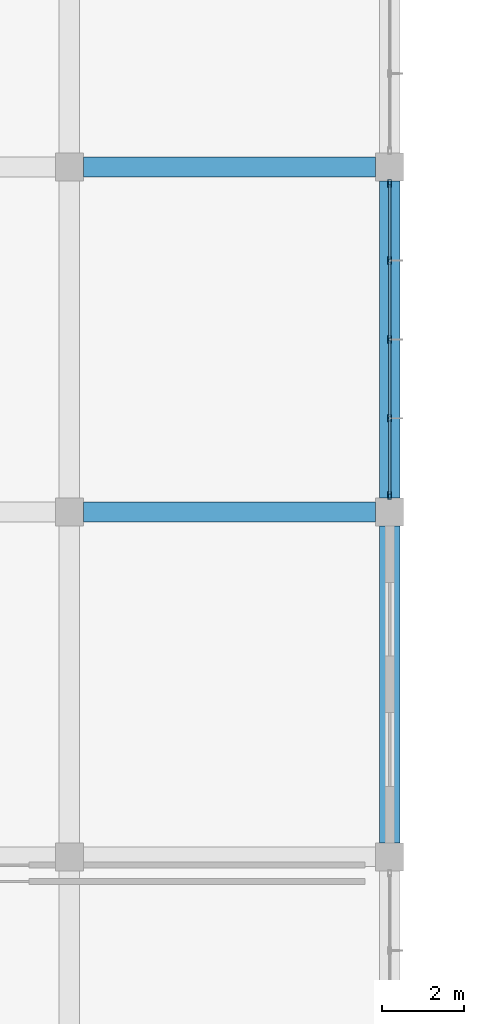
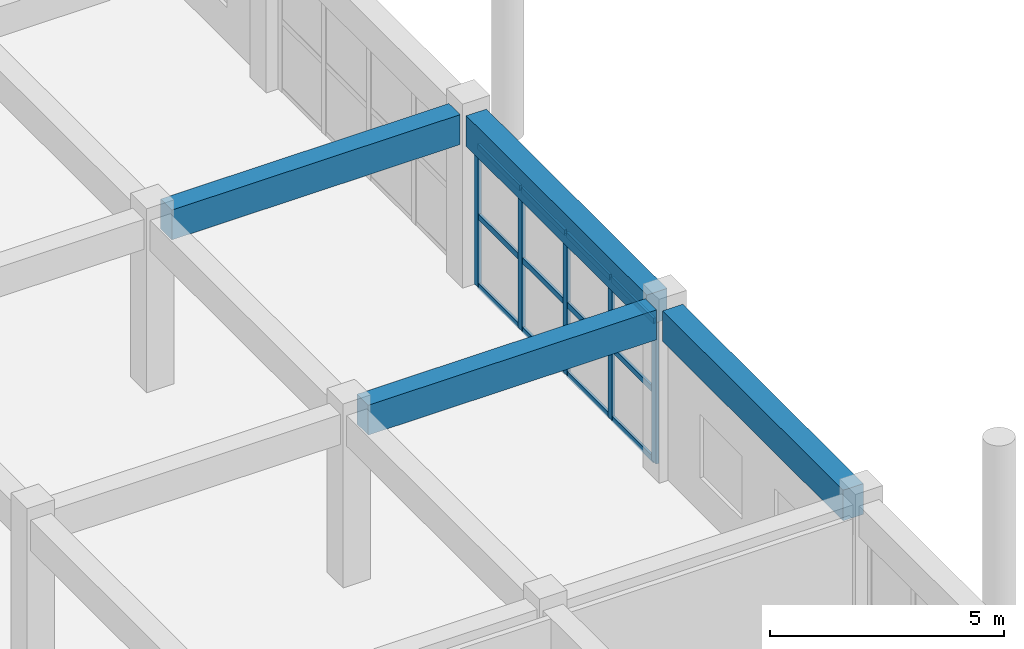
# One storey, part 120 of 175: 17 members, 4 beams, 1 element without a shape of its own.
"""IFC4 building model written with IfcOpenShell, lengths in metres."""

from ifc_helpers import new_model, si_unit, direction, frame, origin, origin_2d, place, context, subcontext, project, spatial, rectangle, hollow_rectangle, extrude, material, layer, layer_set, material_profile, profile_set, type_object, element, aggregate, save


model = new_model("IFC4")

# Units and contexts
model_context = context("Model", 3, precision=1e-05, world=origin(), true_north=direction((0.0, 1.0)))
body_context = subcontext(model_context, "Body", "Model", "MODEL_VIEW")
ifc_project = project(units=[si_unit("LENGTHUNIT", "METRE"), si_unit("AREAUNIT", "SQUARE_METRE"), si_unit("VOLUMEUNIT", "CUBIC_METRE"), si_unit("PLANEANGLEUNIT", "RADIAN"), si_unit("MASSUNIT", "GRAM", prefix="KILO")], contexts=[model_context])

# Site, building, storey
site_placement = place(None, origin())
site = spatial("IfcSite", under=ifc_project, at=site_placement, CompositionType="ELEMENT")
building_placement = place(site_placement, origin())
building = spatial("IfcBuilding", under=site, at=building_placement, Name="Zizhar Promenade General Hospital", CompositionType="ELEMENT")
storey_placement = place(building_placement, frame((0.0, 0.0, 4.800048828125)))
storey = spatial("IfcBuildingStorey", under=building, at=storey_placement, Name="L01", CompositionType="ELEMENT", Elevation=4.800048828125)

# Beams
ifc_material_1 = material(Name="Concrete C35/45", Category="concrete")
ifc_material_profile_1 = material_profile(ifc_material_1, rectangle(XDim=0.47998046875, YDim=0.780029296875, at=origin_2d()))
ifc_profile_set_1 = profile_set([ifc_material_profile_1], Name="Concrete C35/45")
beam_type_1 = type_object("IfcBeamType", Name="BM-RC-480x780", PredefinedType="BEAM", material=ifc_profile_set_1)
for number, where, z_axis, x_axis, name in (
    (1, (187.5400390625, 84.0, 4.079833984375), (1.0, 0.0, 0.0), (0.0, 1.0, 0.0), "Grid Beam X L01 (24-10)"),
    (2, (187.5400390625, 92.39990234375, 4.079833984375), (1.0, 0.0, 0.0), (0.0, 1.0, 0.0), "Grid Beam X L01 (24-11)"),
):
    element("IfcBeam", number, at=place(storey_placement, frame(where, z_axis=z_axis, x_axis=x_axis)), inside=storey, type_object=beam_type_1, Name=name, PredefinedType="BEAM", context=body_context, shape_type="SweptSolid", body=[
        extrude(rectangle(XDim=0.47998046875, YDim=0.780029296875, at=origin_2d()), origin(), (0.0, 0.0, 1.0), 7.119873046875),
    ])
ifc_material_2 = material(Name="Concrete C35/45", Category="concrete")
ifc_material_profile_2 = material_profile(ifc_material_2, rectangle(XDim=0.5, YDim=0.800048828125, at=origin_2d()))
ifc_profile_set_2 = profile_set([ifc_material_profile_2], Name="Concrete C35/45")
beam_type_2 = type_object("IfcBeamType", Name="BM-RC-500x800", PredefinedType="BEAM", material=ifc_profile_set_2)
for number, where, z_axis, x_axis, name in (
    (3, (195.0, 75.93994140625, 4.070068359375), (0.0, 1.0, 0.0), (-1.0, 0.0, 0.0), "Grid Beam Y L01 (25-9)"),
    (4, (195.0, 84.340087890625, 4.070068359375), (0.0, 1.0, 0.0), (-1.0, 0.0, 0.0), "Grid Beam Y L01 (25-10)"),
):
    element("IfcBeam", number, at=place(storey_placement, frame(where, z_axis=z_axis, x_axis=x_axis)), inside=storey, type_object=beam_type_2, Name=name, PredefinedType="BEAM", context=body_context, shape_type="SweptSolid", body=[
        extrude(rectangle(XDim=0.5, YDim=0.800048828125, at=origin_2d()), origin(), (0.0, 0.0, 1.0), 7.719970703125),
    ])

# Curtain wall, members
ifc_material_3 = material(Name="Anodised aluminium 6063-T6 and low-E glass", Category="aluminium")
ifc_layer = layer(ifc_material_3, 0.159912109375)
ifc_layer_set = layer_set([ifc_layer], Name="Anodised aluminium 6063-T6 and low-E glass")
curtain_wall_type = type_object("IfcCurtainWallType", Name="CW-CLN-EXT", PredefinedType="NOTDEFINED", material=ifc_layer_set)
curtain_wall_placement = place(storey_placement, origin())
curtain_wall = element("IfcCurtainWall", 5, at=curtain_wall_placement, inside=storey, type_object=curtain_wall_type, Name="Outpatient East Curtain Wall L01-10", PredefinedType="NOTDEFINED")
ifc_material_4 = material(Name="Anodised aluminium 6063-T6", Category="aluminium")
ifc_material_profile_3 = material_profile(ifc_material_4, hollow_rectangle(XDim=0.080078125, YDim=0.179931640625, WallThickness=0.0048828125, at=origin_2d()))
ifc_profile_set_3 = profile_set([ifc_material_profile_3], Name="Anodised aluminium 6063-T6")
member_type_1 = type_object("IfcMemberType", Name="CWM-ALU-180x80", PredefinedType="MULLION", material=ifc_profile_set_3)
member_1_placement = place(storey_placement, frame((195.0, 92.0, 0.0), z_axis=(0.0, 0.0, 1.0), x_axis=(1.0, 0.0, 0.0)))
member_1 = element("IfcMember", 6, at=member_1_placement, type_object=member_type_1, Name="CW-09 mullion 1", PredefinedType="MULLION", context=body_context, shape_type="SweptSolid", body=[
    extrude(hollow_rectangle(XDim=0.080078125, YDim=0.179931640625, WallThickness=0.0048828125, at=origin_2d()), origin(), (0.0, 0.0, 1.0), 3.679931640625),
])
member_2_placement = place(storey_placement, frame((195.0, 90.1201171875, 0.0), z_axis=(0.0, 0.0, 1.0), x_axis=(1.0, 0.0, 0.0)))
member_2 = element("IfcMember", 7, at=member_2_placement, type_object=member_type_1, Name="CW-09 mullion 2", PredefinedType="MULLION", context=body_context, shape_type="SweptSolid", body=[
    extrude(hollow_rectangle(XDim=0.080078125, YDim=0.179931640625, WallThickness=0.0048828125, at=origin_2d()), origin(), (0.0, 0.0, 1.0), 3.679931640625),
])
member_3_placement = place(storey_placement, frame((195.0, 88.199951171875, 0.0), z_axis=(0.0, 0.0, 1.0), x_axis=(1.0, 0.0, 0.0)))
member_3 = element("IfcMember", 8, at=member_3_placement, type_object=member_type_1, Name="CW-09 mullion 3", PredefinedType="MULLION", context=body_context, shape_type="SweptSolid", body=[
    extrude(hollow_rectangle(XDim=0.080078125, YDim=0.179931640625, WallThickness=0.0048828125, at=origin_2d()), origin(), (0.0, 0.0, 1.0), 3.679931640625),
])
member_4_placement = place(storey_placement, frame((195.0, 86.280029296875, 0.0), z_axis=(0.0, 0.0, 1.0), x_axis=(1.0, 0.0, 0.0)))
member_4 = element("IfcMember", 9, at=member_4_placement, type_object=member_type_1, Name="CW-09 mullion 4", PredefinedType="MULLION", context=body_context, shape_type="SweptSolid", body=[
    extrude(hollow_rectangle(XDim=0.080078125, YDim=0.179931640625, WallThickness=0.0048828125, at=origin_2d()), origin(), (0.0, 0.0, 1.0), 3.679931640625),
])
member_5_placement = place(storey_placement, frame((195.0, 84.39990234375, 0.0), z_axis=(0.0, 0.0, 1.0), x_axis=(1.0, 0.0, 0.0)))
member_5 = element("IfcMember", 10, at=member_5_placement, type_object=member_type_1, Name="CW-09 mullion 5", PredefinedType="MULLION", context=body_context, shape_type="SweptSolid", body=[
    extrude(hollow_rectangle(XDim=0.080078125, YDim=0.179931640625, WallThickness=0.0048828125, at=origin_2d()), origin(), (0.0, 0.0, 1.0), 3.679931640625),
])
ifc_material_5 = material(Name="Anodised aluminium 6063-T6", Category="aluminium")
ifc_material_profile_4 = material_profile(ifc_material_5, hollow_rectangle(XDim=0.06005859375, YDim=0.14990234375, WallThickness=0.00390625, at=origin_2d()))
ifc_profile_set_4 = profile_set([ifc_material_profile_4], Name="Anodised aluminium 6063-T6")
member_type_2 = type_object("IfcMemberType", Name="CWT-ALU-150x60", PredefinedType="USERDEFINED", material=ifc_profile_set_4)
member_6_placement = place(storey_placement, frame((195.0, 91.9599609375, 0.030029296875), z_axis=(0.0, -1.0, 0.0), x_axis=(1.0, 0.0, 0.0)))
member_6 = element("IfcMember", 11, at=member_6_placement, type_object=member_type_2, Name="CW-09 transom 1.1", ObjectType="TRANSOM", PredefinedType="USERDEFINED", context=body_context, shape_type="SweptSolid", body=[
    extrude(hollow_rectangle(XDim=0.06005859375, YDim=0.14990234375, WallThickness=0.00390625, at=origin_2d()), origin(), (0.0, 0.0, 1.0), 1.800048828125),
])
member_7_placement = place(storey_placement, frame((195.0, 91.9599609375, 1.83984375), z_axis=(0.0, -1.0, 0.0), x_axis=(1.0, 0.0, 0.0)))
member_7 = element("IfcMember", 12, at=member_7_placement, type_object=member_type_2, Name="CW-09 transom 1.2", ObjectType="TRANSOM", PredefinedType="USERDEFINED", context=body_context, shape_type="SweptSolid", body=[
    extrude(hollow_rectangle(XDim=0.06005859375, YDim=0.14990234375, WallThickness=0.00390625, at=origin_2d()), origin(), (0.0, 0.0, 1.0), 1.800048828125),
])
member_8_placement = place(storey_placement, frame((195.0, 91.9599609375, 3.64990234375), z_axis=(0.0, -1.0, 0.0), x_axis=(1.0, 0.0, 0.0)))
member_8 = element("IfcMember", 13, at=member_8_placement, type_object=member_type_2, Name="CW-09 transom 1.3", ObjectType="TRANSOM", PredefinedType="USERDEFINED", context=body_context, shape_type="SweptSolid", body=[
    extrude(hollow_rectangle(XDim=0.06005859375, YDim=0.14990234375, WallThickness=0.00390625, at=origin_2d()), origin(), (0.0, 0.0, 1.0), 1.800048828125),
])
member_9_placement = place(storey_placement, frame((195.0, 90.080078125, 0.030029296875), z_axis=(0.0, -1.0, 0.0), x_axis=(1.0, 0.0, 0.0)))
member_9 = element("IfcMember", 14, at=member_9_placement, type_object=member_type_2, Name="CW-09 transom 2.1", ObjectType="TRANSOM", PredefinedType="USERDEFINED", context=body_context, shape_type="SweptSolid", body=[
    extrude(hollow_rectangle(XDim=0.06005859375, YDim=0.14990234375, WallThickness=0.00390625, at=origin_2d()), origin(), (0.0, 0.0, 1.0), 1.840087890625),
])
member_10_placement = place(storey_placement, frame((195.0, 90.080078125, 1.83984375), z_axis=(0.0, -1.0, 0.0), x_axis=(1.0, 0.0, 0.0)))
member_10 = element("IfcMember", 15, at=member_10_placement, type_object=member_type_2, Name="CW-09 transom 2.2", ObjectType="TRANSOM", PredefinedType="USERDEFINED", context=body_context, shape_type="SweptSolid", body=[
    extrude(hollow_rectangle(XDim=0.06005859375, YDim=0.14990234375, WallThickness=0.00390625, at=origin_2d()), origin(), (0.0, 0.0, 1.0), 1.840087890625),
])
member_11_placement = place(storey_placement, frame((195.0, 90.080078125, 3.64990234375), z_axis=(0.0, -1.0, 0.0), x_axis=(1.0, 0.0, 0.0)))
member_11 = element("IfcMember", 16, at=member_11_placement, type_object=member_type_2, Name="CW-09 transom 2.3", ObjectType="TRANSOM", PredefinedType="USERDEFINED", context=body_context, shape_type="SweptSolid", body=[
    extrude(hollow_rectangle(XDim=0.06005859375, YDim=0.14990234375, WallThickness=0.00390625, at=origin_2d()), origin(), (0.0, 0.0, 1.0), 1.840087890625),
])
member_12_placement = place(storey_placement, frame((195.0, 88.159912109375, 0.030029296875), z_axis=(0.0, -1.0, 0.0), x_axis=(1.0, 0.0, 0.0)))
member_12 = element("IfcMember", 17, at=member_12_placement, type_object=member_type_2, Name="CW-09 transom 3.1", ObjectType="TRANSOM", PredefinedType="USERDEFINED", context=body_context, shape_type="SweptSolid", body=[
    extrude(hollow_rectangle(XDim=0.06005859375, YDim=0.14990234375, WallThickness=0.00390625, at=origin_2d()), origin(), (0.0, 0.0, 1.0), 1.83984375),
])
member_13_placement = place(storey_placement, frame((195.0, 88.159912109375, 1.83984375), z_axis=(0.0, -1.0, 0.0), x_axis=(1.0, 0.0, 0.0)))
member_13 = element("IfcMember", 18, at=member_13_placement, type_object=member_type_2, Name="CW-09 transom 3.2", ObjectType="TRANSOM", PredefinedType="USERDEFINED", context=body_context, shape_type="SweptSolid", body=[
    extrude(hollow_rectangle(XDim=0.06005859375, YDim=0.14990234375, WallThickness=0.00390625, at=origin_2d()), origin(), (0.0, 0.0, 1.0), 1.83984375),
])
member_14_placement = place(storey_placement, frame((195.0, 88.159912109375, 3.64990234375), z_axis=(0.0, -1.0, 0.0), x_axis=(1.0, 0.0, 0.0)))
member_14 = element("IfcMember", 19, at=member_14_placement, type_object=member_type_2, Name="CW-09 transom 3.3", ObjectType="TRANSOM", PredefinedType="USERDEFINED", context=body_context, shape_type="SweptSolid", body=[
    extrude(hollow_rectangle(XDim=0.06005859375, YDim=0.14990234375, WallThickness=0.00390625, at=origin_2d()), origin(), (0.0, 0.0, 1.0), 1.83984375),
])
member_15_placement = place(storey_placement, frame((195.0, 86.239990234375, 0.030029296875), z_axis=(0.0, -1.0, 0.0), x_axis=(1.0, 0.0, 0.0)))
member_15 = element("IfcMember", 20, at=member_15_placement, type_object=member_type_2, Name="CW-09 transom 4.1", ObjectType="TRANSOM", PredefinedType="USERDEFINED", context=body_context, shape_type="SweptSolid", body=[
    extrude(hollow_rectangle(XDim=0.06005859375, YDim=0.14990234375, WallThickness=0.00390625, at=origin_2d()), origin(), (0.0, 0.0, 1.0), 1.800048828125),
])
member_16_placement = place(storey_placement, frame((195.0, 86.239990234375, 1.83984375), z_axis=(0.0, -1.0, 0.0), x_axis=(1.0, 0.0, 0.0)))
member_16 = element("IfcMember", 21, at=member_16_placement, type_object=member_type_2, Name="CW-09 transom 4.2", ObjectType="TRANSOM", PredefinedType="USERDEFINED", context=body_context, shape_type="SweptSolid", body=[
    extrude(hollow_rectangle(XDim=0.06005859375, YDim=0.14990234375, WallThickness=0.00390625, at=origin_2d()), origin(), (0.0, 0.0, 1.0), 1.800048828125),
])
member_17_placement = place(storey_placement, frame((195.0, 86.239990234375, 3.64990234375), z_axis=(0.0, -1.0, 0.0), x_axis=(1.0, 0.0, 0.0)))
member_17 = element("IfcMember", 22, at=member_17_placement, type_object=member_type_2, Name="CW-09 transom 4.3", ObjectType="TRANSOM", PredefinedType="USERDEFINED", context=body_context, shape_type="SweptSolid", body=[
    extrude(hollow_rectangle(XDim=0.06005859375, YDim=0.14990234375, WallThickness=0.00390625, at=origin_2d()), origin(), (0.0, 0.0, 1.0), 1.800048828125),
])
aggregate(curtain_wall, [member_1, member_2, member_3, member_4, member_5, member_6, member_7, member_8, member_9, member_10, member_11, member_12, member_13, member_14, member_15, member_16, member_17])

save(model, "model.ifc")
